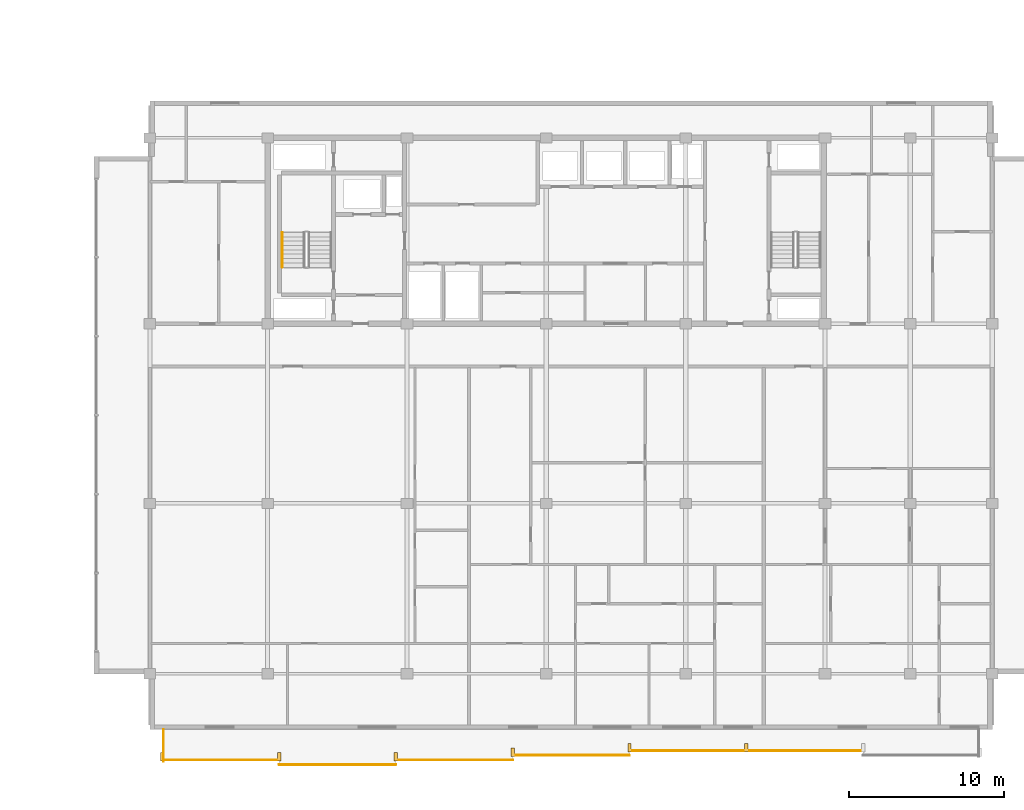
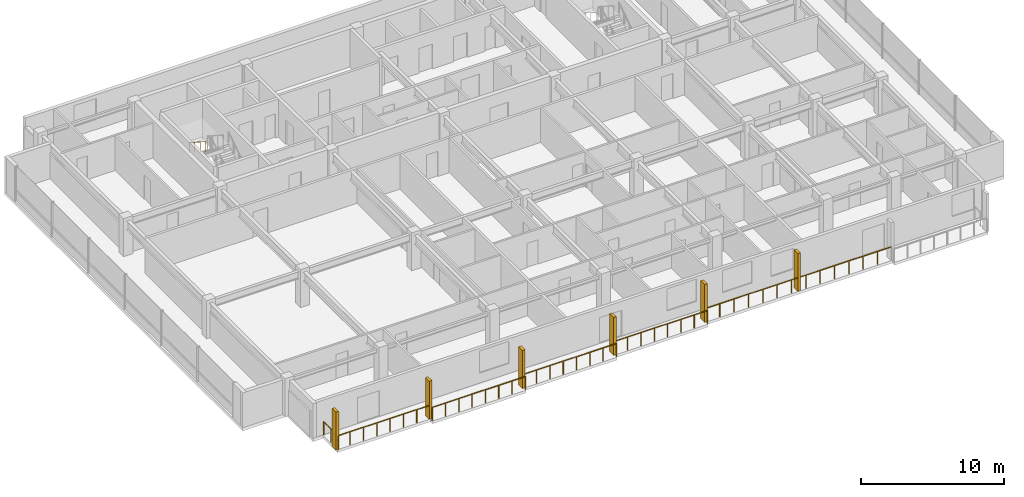
# One storey, part 26 of 30: 7 railings, 6 shading devices.
"""IFC4 building model written with IfcOpenShell, lengths in metres."""

from ifc_helpers import new_model, si_unit, direction, frame, origin, origin_2d, place, context, subcontext, project, spatial, rectangle, circle, extrude, material, type_object, element, save


model = new_model("IFC4")

# Units and contexts
model_context = context("Model", 3, precision=1e-05, world=origin(), true_north=direction((0.0, 1.0)))
body_context = subcontext(model_context, "Body", "Model", "MODEL_VIEW")
ifc_project = project(units=[si_unit("LENGTHUNIT", "METRE"), si_unit("AREAUNIT", "SQUARE_METRE"), si_unit("VOLUMEUNIT", "CUBIC_METRE"), si_unit("PLANEANGLEUNIT", "RADIAN"), si_unit("MASSUNIT", "GRAM", prefix="KILO")], contexts=[model_context])

# Site, building, storey
site_placement = place(None, origin())
site = spatial("IfcSite", under=ifc_project, at=site_placement, CompositionType="ELEMENT")
building_placement = place(site_placement, origin())
building = spatial("IfcBuilding", under=site, at=building_placement, Name="Korimba Cascade Residences", CompositionType="ELEMENT")
storey_placement = place(building_placement, frame((0.0, 0.0, 201.10009765625)))
storey = spatial("IfcBuildingStorey", under=building, at=storey_placement, Name="L58", CompositionType="ELEMENT", Elevation=201.10009765625)

# Railings
ifc_material_1 = material(Name="Laminated Glass and Bronze Balustrade", Category="glass")
railing_type_1 = type_object("IfcRailingType", Name="RLG-LOG-1150", PredefinedType="BALUSTRADE", material=ifc_material_1)
railing_1_placement = place(storey_placement, frame((75.300048828125, -9.77001953125, 0.0)))
element("IfcRailing", 1, at=railing_1_placement, inside=storey, type_object=railing_type_1, Name="L58 Perimeter Guardrail RLG-L58-T2-LOG-01", PredefinedType="BALUSTRADE", context=body_context, shape_type="SweptSolid", body=[
    extrude(circle(Radius=0.02392578125, at=origin_2d()), frame((0.0, 0.0, 1.1259765625), z_axis=(1.0, 0.0, 0.0), x_axis=(0.0, 1.0, 0.0)), (0.0, 0.0, 1.0), 7.54296875),
    extrude(circle(Radius=0.02099609375, at=origin_2d()), origin(), (0.0, 0.0, 1.0), 1.101806640625),
    extrude(circle(Radius=0.02099609375, at=origin_2d()), frame((1.07763671875, 0.0, 0.0)), (0.0, 0.0, 1.0), 1.101806640625),
    extrude(circle(Radius=0.02099609375, at=origin_2d()), frame((2.155029296875, 0.0, 0.0)), (0.0, 0.0, 1.0), 1.101806640625),
    extrude(circle(Radius=0.02099609375, at=origin_2d()), frame((3.232666015625, 0.0, 0.0)), (0.0, 0.0, 1.0), 1.101806640625),
    extrude(circle(Radius=0.02099609375, at=origin_2d()), frame((4.310302734375, 0.0, 0.0)), (0.0, 0.0, 1.0), 1.101806640625),
    extrude(circle(Radius=0.02099609375, at=origin_2d()), frame((5.387939453125, 0.0, 0.0)), (0.0, 0.0, 1.0), 1.101806640625),
    extrude(circle(Radius=0.02099609375, at=origin_2d()), frame((6.46533203125, 0.0, 0.0)), (0.0, 0.0, 1.0), 1.101806640625),
    extrude(circle(Radius=0.02099609375, at=origin_2d()), frame((7.54296875, 0.0, 0.0)), (0.0, 0.0, 1.0), 1.101806640625),
])
railing_2_placement = place(storey_placement, frame((82.843017578125, -10.070068359375, 0.0)))
element("IfcRailing", 2, at=railing_2_placement, inside=storey, type_object=railing_type_1, Name="L58 Perimeter Guardrail RLG-L58-T2-LOG-02", PredefinedType="BALUSTRADE", context=body_context, shape_type="SweptSolid", body=[
    extrude(circle(Radius=0.02392578125, at=origin_2d()), frame((0.0, 0.0, 1.1259765625), z_axis=(1.0, 0.0, 0.0), x_axis=(0.0, 1.0, 0.0)), (0.0, 0.0, 1.0), 7.542724609375),
    extrude(circle(Radius=0.02099609375, at=origin_2d()), origin(), (0.0, 0.0, 1.0), 1.101806640625),
    extrude(circle(Radius=0.02099609375, at=origin_2d()), frame((1.07763671875, 0.0, 0.0)), (0.0, 0.0, 1.0), 1.101806640625),
    extrude(circle(Radius=0.02099609375, at=origin_2d()), frame((2.155029296875, 0.0, 0.0)), (0.0, 0.0, 1.0), 1.101806640625),
    extrude(circle(Radius=0.02099609375, at=origin_2d()), frame((3.232666015625, 0.0, 0.0)), (0.0, 0.0, 1.0), 1.101806640625),
    extrude(circle(Radius=0.02099609375, at=origin_2d()), frame((4.31005859375, 0.0, 0.0)), (0.0, 0.0, 1.0), 1.101806640625),
    extrude(circle(Radius=0.02099609375, at=origin_2d()), frame((5.3876953125, 0.0, 0.0)), (0.0, 0.0, 1.0), 1.101806640625),
    extrude(circle(Radius=0.02099609375, at=origin_2d()), frame((6.465087890625, 0.0, 0.0)), (0.0, 0.0, 1.0), 1.101806640625),
    extrude(circle(Radius=0.02099609375, at=origin_2d()), frame((7.542724609375, 0.0, 0.0)), (0.0, 0.0, 1.0), 1.101806640625),
])
railing_3_placement = place(storey_placement, frame((90.3857421875, -9.77001953125, 0.0)))
element("IfcRailing", 3, at=railing_3_placement, inside=storey, type_object=railing_type_1, Name="L58 Perimeter Guardrail RLG-L58-T2-LOG-03", PredefinedType="BALUSTRADE", context=body_context, shape_type="SweptSolid", body=[
    extrude(circle(Radius=0.02392578125, at=origin_2d()), frame((0.0, 0.0, 1.1259765625), z_axis=(1.0, 0.0, 0.0), x_axis=(0.0, 1.0, 0.0)), (0.0, 0.0, 1.0), 7.54296875),
    extrude(circle(Radius=0.02099609375, at=origin_2d()), origin(), (0.0, 0.0, 1.0), 1.101806640625),
    extrude(circle(Radius=0.02099609375, at=origin_2d()), frame((1.07763671875, 0.0, 0.0)), (0.0, 0.0, 1.0), 1.101806640625),
    extrude(circle(Radius=0.02099609375, at=origin_2d()), frame((2.155029296875, 0.0, 0.0)), (0.0, 0.0, 1.0), 1.101806640625),
    extrude(circle(Radius=0.02099609375, at=origin_2d()), frame((3.232666015625, 0.0, 0.0)), (0.0, 0.0, 1.0), 1.101806640625),
    extrude(circle(Radius=0.02099609375, at=origin_2d()), frame((4.310302734375, 0.0, 0.0)), (0.0, 0.0, 1.0), 1.101806640625),
    extrude(circle(Radius=0.02099609375, at=origin_2d()), frame((5.387939453125, 0.0, 0.0)), (0.0, 0.0, 1.0), 1.101806640625),
    extrude(circle(Radius=0.02099609375, at=origin_2d()), frame((6.46533203125, 0.0, 0.0)), (0.0, 0.0, 1.0), 1.101806640625),
    extrude(circle(Radius=0.02099609375, at=origin_2d()), frame((7.54296875, 0.0, 0.0)), (0.0, 0.0, 1.0), 1.101806640625),
])
railing_4_placement = place(storey_placement, frame((97.9287109375, -9.469970703125, 0.0)))
element("IfcRailing", 4, at=railing_4_placement, inside=storey, type_object=railing_type_1, Name="L58 Perimeter Guardrail RLG-L58-T2-LOG-04", PredefinedType="BALUSTRADE", context=body_context, shape_type="SweptSolid", body=[
    extrude(circle(Radius=0.02392578125, at=origin_2d()), frame((0.0, 0.0, 1.1259765625), z_axis=(1.0, 0.0, 0.0), x_axis=(0.0, 1.0, 0.0)), (0.0, 0.0, 1.0), 7.542724609375),
    extrude(circle(Radius=0.02099609375, at=origin_2d()), origin(), (0.0, 0.0, 1.0), 1.101806640625),
    extrude(circle(Radius=0.02099609375, at=origin_2d()), frame((1.07763671875, 0.0, 0.0)), (0.0, 0.0, 1.0), 1.101806640625),
    extrude(circle(Radius=0.02099609375, at=origin_2d()), frame((2.155029296875, 0.0, 0.0)), (0.0, 0.0, 1.0), 1.101806640625),
    extrude(circle(Radius=0.02099609375, at=origin_2d()), frame((3.232666015625, 0.0, 0.0)), (0.0, 0.0, 1.0), 1.101806640625),
    extrude(circle(Radius=0.02099609375, at=origin_2d()), frame((4.31005859375, 0.0, 0.0)), (0.0, 0.0, 1.0), 1.101806640625),
    extrude(circle(Radius=0.02099609375, at=origin_2d()), frame((5.3876953125, 0.0, 0.0)), (0.0, 0.0, 1.0), 1.101806640625),
    extrude(circle(Radius=0.02099609375, at=origin_2d()), frame((6.465087890625, 0.0, 0.0)), (0.0, 0.0, 1.0), 1.101806640625),
    extrude(circle(Radius=0.02099609375, at=origin_2d()), frame((7.542724609375, 0.0, 0.0)), (0.0, 0.0, 1.0), 1.101806640625),
])
railing_5_placement = place(storey_placement, frame((105.471435546875, -9.169921875, 0.0)))
element("IfcRailing", 5, at=railing_5_placement, inside=storey, type_object=railing_type_1, Name="L58 Perimeter Guardrail RLG-L58-T2-LOG-05", PredefinedType="BALUSTRADE", context=body_context, shape_type="SweptSolid", body=[
    extrude(circle(Radius=0.02392578125, at=origin_2d()), frame((0.0, 0.0, 1.1259765625), z_axis=(1.0, 0.0, 0.0), x_axis=(0.0, 1.0, 0.0)), (0.0, 0.0, 1.0), 15.085693359375),
    extrude(circle(Radius=0.02099609375, at=origin_2d()), origin(), (0.0, 0.0, 1.0), 1.101806640625),
    extrude(circle(Radius=0.02099609375, at=origin_2d()), frame((1.160400390625, 0.0, 0.0)), (0.0, 0.0, 1.0), 1.101806640625),
    extrude(circle(Radius=0.02099609375, at=origin_2d()), frame((2.32080078125, 0.0, 0.0)), (0.0, 0.0, 1.0), 1.101806640625),
    extrude(circle(Radius=0.02099609375, at=origin_2d()), frame((3.481201171875, 0.0, 0.0)), (0.0, 0.0, 1.0), 1.101806640625),
    extrude(circle(Radius=0.02099609375, at=origin_2d()), frame((4.641845703125, 0.0, 0.0)), (0.0, 0.0, 1.0), 1.101806640625),
    extrude(circle(Radius=0.02099609375, at=origin_2d()), frame((5.80224609375, 0.0, 0.0)), (0.0, 0.0, 1.0), 1.101806640625),
    extrude(circle(Radius=0.02099609375, at=origin_2d()), frame((6.962646484375, 0.0, 0.0)), (0.0, 0.0, 1.0), 1.101806640625),
    extrude(circle(Radius=0.02099609375, at=origin_2d()), frame((8.123046875, 0.0, 0.0)), (0.0, 0.0, 1.0), 1.101806640625),
    extrude(circle(Radius=0.02099609375, at=origin_2d()), frame((9.283447265625, 0.0, 0.0)), (0.0, 0.0, 1.0), 1.101806640625),
    extrude(circle(Radius=0.02099609375, at=origin_2d()), frame((10.44384765625, 0.0, 0.0)), (0.0, 0.0, 1.0), 1.101806640625),
    extrude(circle(Radius=0.02099609375, at=origin_2d()), frame((11.6044921875, 0.0, 0.0)), (0.0, 0.0, 1.0), 1.101806640625),
    extrude(circle(Radius=0.02099609375, at=origin_2d()), frame((12.764892578125, 0.0, 0.0)), (0.0, 0.0, 1.0), 1.101806640625),
    extrude(circle(Radius=0.02099609375, at=origin_2d()), frame((13.92529296875, 0.0, 0.0)), (0.0, 0.0, 1.0), 1.101806640625),
    extrude(circle(Radius=0.02099609375, at=origin_2d()), frame((15.085693359375, 0.0, 0.0)), (0.0, 0.0, 1.0), 1.101806640625),
])
railing_6_placement = place(storey_placement, frame((75.3798828125, -7.800048828125, 0.0)))
element("IfcRailing", 6, at=railing_6_placement, inside=storey, type_object=railing_type_1, Name="L58 Perimeter Guardrail RLG-L58-T2-LOG-08", PredefinedType="BALUSTRADE", context=body_context, shape_type="SweptSolid", body=[
    extrude(circle(Radius=0.02392578125, at=origin_2d()), frame((0.0, 0.0, 1.1259765625), z_axis=(0.0, -1.0, 0.0), x_axis=(1.0, 0.0, 0.0)), (0.0, 0.0, 1.0), 2.050048828125),
    extrude(circle(Radius=0.02099609375, at=origin_2d()), origin(), (0.0, 0.0, 1.0), 1.101806640625),
    extrude(circle(Radius=0.02099609375, at=origin_2d()), frame((0.0, -1.02490234375, 0.0)), (0.0, 0.0, 1.0), 1.101806640625),
    extrude(circle(Radius=0.02099609375, at=origin_2d()), frame((0.0, -2.050048828125, 0.0)), (0.0, 0.0, 1.0), 1.101806640625),
])
ifc_material_2 = material(Name="Brushed Stainless Steel Handrail", Category="steel")
railing_type_2 = type_object("IfcRailingType", Name="RLG-ST-HR900", PredefinedType="HANDRAIL", material=ifc_material_2)
railing_7_placement = place(storey_placement, frame((83.050048828125, 24.2900390625, 1.98974609375)))
element("IfcRailing", 7, at=railing_7_placement, inside=storey, type_object=railing_type_2, Name="L58 ST-E1 stair handrail 2", PredefinedType="HANDRAIL", context=body_context, shape_type="SweptSolid", body=[
    extrude(circle(Radius=0.02392578125, at=origin_2d()), frame((0.0, 0.0, 0.8759765625), z_axis=(0.0, -0.840394893359, 0.541974559565), x_axis=(1.0, 0.0, 0.0)), (0.0, 0.0, 1.0), 2.665283203125),
    extrude(circle(Radius=0.02099609375, at=origin_2d()), origin(), (0.0, 0.0, 1.0), 0.851806640625),
    extrude(circle(Radius=0.02099609375, at=origin_2d()), frame((0.0, -0.74658203125, 0.4814453125)), (0.0, 0.0, 1.0), 0.851806640625),
    extrude(circle(Radius=0.02099609375, at=origin_2d()), frame((0.0, -1.493408203125, 0.963134765625)), (0.0, 0.0, 1.0), 0.851806640625),
    extrude(circle(Radius=0.02099609375, at=origin_2d()), frame((0.0, -2.239990234375, 1.444580078125)), (0.0, 0.0, 1.0), 0.851806640625),
])

# Shading devices
ifc_material_3 = material(Name="Honed Sandstone Precast Fin", Category="masonry")
shading_device_type = type_object("IfcShadingDeviceType", Name="SHD-FIN-550", PredefinedType="USERDEFINED", material=ifc_material_3)
for number, where, z_axis, x_axis, name in (
    (8, (75.300048828125, -9.574951171875, 0.0), (0.0, 0.0, 1.0), (1.0, 0.0, 0.0), "L58 T2 Warm-Stone Loggia Fin 1"),
    (9, (82.843017578125, -9.574951171875, 0.0), (0.0, 0.0, 1.0), (1.0, 0.0, 0.0), "L58 T2 Warm-Stone Loggia Fin 2"),
    (10, (90.3857421875, -9.574951171875, 0.0), (0.0, 0.0, 1.0), (1.0, 0.0, 0.0), "L58 T2 Warm-Stone Loggia Fin 3"),
    (11, (97.9287109375, -9.27490234375, 0.0), (0.0, 0.0, 1.0), (1.0, 0.0, 0.0), "L58 T2 Warm-Stone Loggia Fin 4"),
    (12, (105.471435546875, -8.97509765625, 0.0), (0.0, 0.0, 1.0), (1.0, 0.0, 0.0), "L58 T2 Warm-Stone Loggia Fin 5"),
    (13, (113.014404296875, -8.97509765625, 0.0), (0.0, 0.0, 1.0), (1.0, 0.0, 0.0), "L58 T2 Warm-Stone Loggia Fin 6"),
):
    element("IfcShadingDevice", number, at=place(storey_placement, frame(where, z_axis=z_axis, x_axis=x_axis)), inside=storey, type_object=shading_device_type, Name=name, ObjectType="FIN", PredefinedType="USERDEFINED", context=body_context, shape_type="SweptSolid", body=[
        extrude(rectangle(XDim=0.219970703125, YDim=0.550048828125, at=origin_2d()), origin(), (0.0, 0.0, 1.0), 3.25),
    ])

save(model, "model.ifc")
